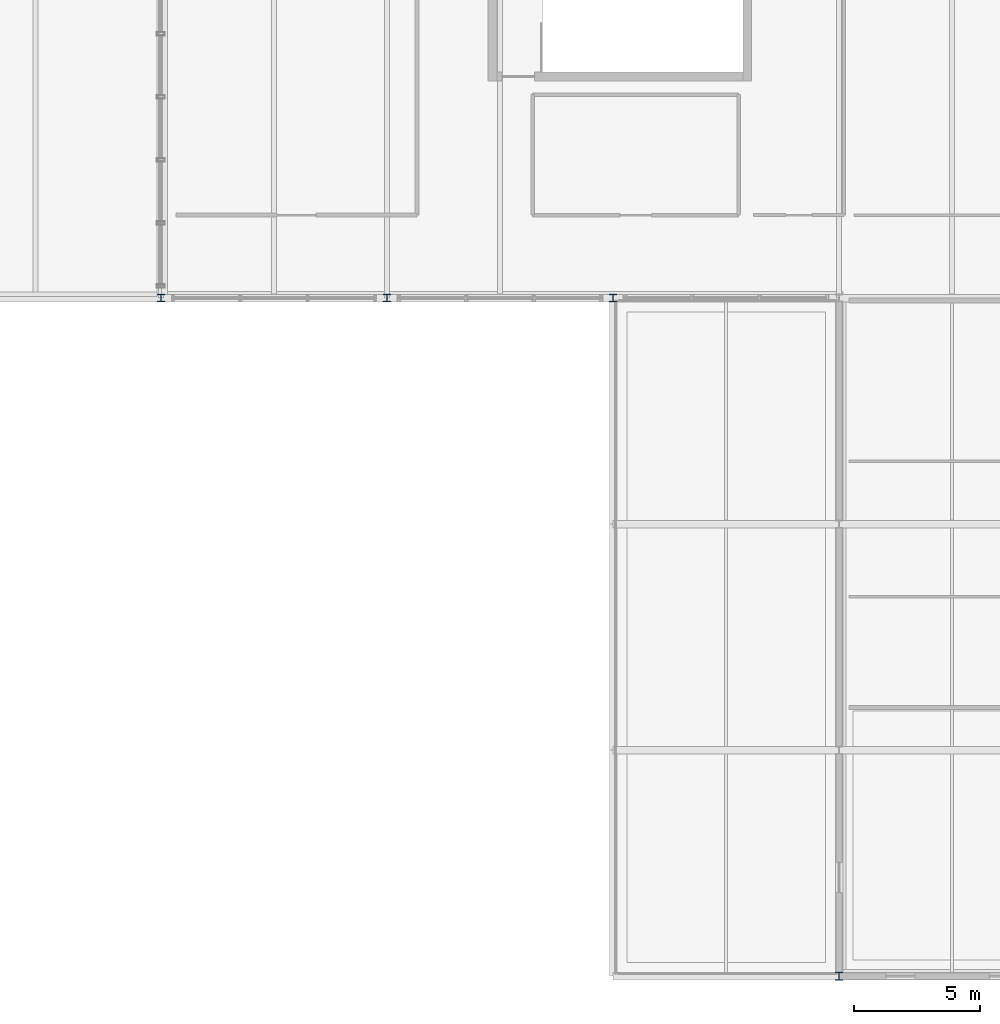
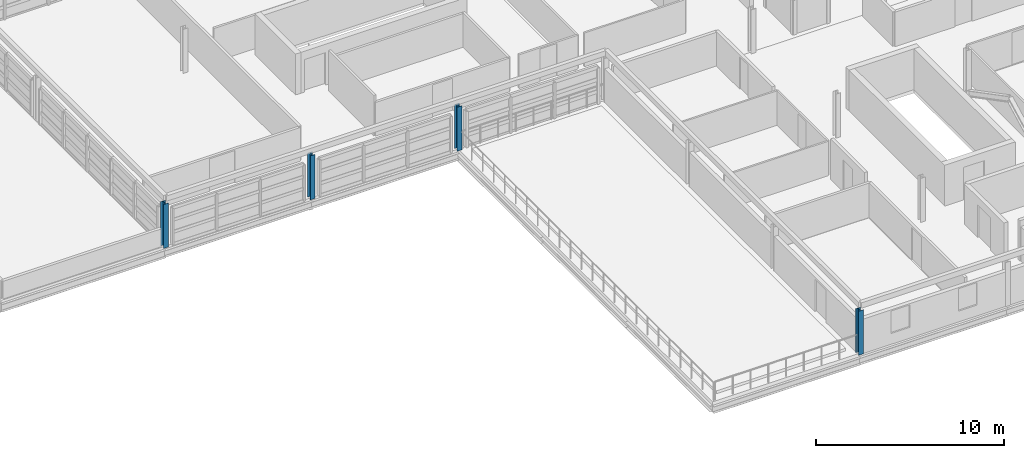
# One storey, part 1 of 27: 4 columns.
"""IFC4 building model written with IfcOpenShell, lengths in metres."""

from ifc_helpers import new_model, si_unit, direction, frame, origin, origin_2d, place, context, subcontext, project, spatial, i_section, extrude, material, material_profile, profile_set, type_object, element, save


model = new_model("IFC4")

# Units and contexts
model_context = context("Model", 3, precision=1e-05, world=origin(), true_north=direction((0.0, 1.0)))
body_context = subcontext(model_context, "Body", "Model", "MODEL_VIEW")
ifc_project = project(units=[si_unit("LENGTHUNIT", "METRE"), si_unit("AREAUNIT", "SQUARE_METRE"), si_unit("VOLUMEUNIT", "CUBIC_METRE"), si_unit("PLANEANGLEUNIT", "RADIAN"), si_unit("MASSUNIT", "GRAM", prefix="KILO")], contexts=[model_context])

# Site, building, storey
site_placement = place(None, origin())
site = spatial("IfcSite", under=ifc_project, at=site_placement, CompositionType="ELEMENT")
building_placement = place(site_placement, origin())
building = spatial("IfcBuilding", under=site, at=building_placement, Name="Chuanluo Vaults Station", CompositionType="ELEMENT")
storey_placement = place(building_placement, frame((0.0, 0.0, 20.800048828125)))
storey = spatial("IfcBuildingStorey", under=building, at=storey_placement, Name="L05", CompositionType="ELEMENT", Elevation=20.800048828125)

# Columns
ifc_material = material(Name="Steel Q355C", Category="steel")
ifc_material_profile = material_profile(ifc_material, i_section(OverallWidth=0.300048828125, OverallDepth=0.300048828125, WebThickness=0.010009765625, FlangeThickness=0.014892578125, FilletRadius=0.01806640625, at=origin_2d()))
ifc_profile_set = profile_set([ifc_material_profile], Name="Steel Q355C")
column_type = type_object("IfcColumnType", Name="COL-STL-HW300", PredefinedType="COLUMN", material=ifc_profile_set)
for number, where, z_axis, x_axis, name in (
    (1, (136.0, 103.5, 0.0), (0.0, 0.0, 1.0), (1.0, 0.0, 0.0), "Column L05-094"),
    (2, (145.0, 103.5, 0.0), (0.0, 0.0, 1.0), (1.0, 0.0, 0.0), "Column L05-107"),
    (3, (154.0, 103.5, 0.0), (0.0, 0.0, 1.0), (1.0, 0.0, 0.0), "Column L05-120"),
    (4, (163.0, 76.5, 0.0), (0.0, 0.0, 1.0), (1.0, 0.0, 0.0), "Column L05-130"),
):
    element("IfcColumn", number, at=place(storey_placement, frame(where, z_axis=z_axis, x_axis=x_axis)), inside=storey, type_object=column_type, Name=name, PredefinedType="COLUMN", context=body_context, shape_type="SweptSolid", body=[
        extrude(i_section(OverallWidth=0.300048828125, OverallDepth=0.300048828125, WebThickness=0.010009765625, FlangeThickness=0.014892578125, FilletRadius=0.01806640625, at=origin_2d()), origin(), (0.0, 0.0, 1.0), 2.849853515625),
    ])

save(model, "model.ifc")
